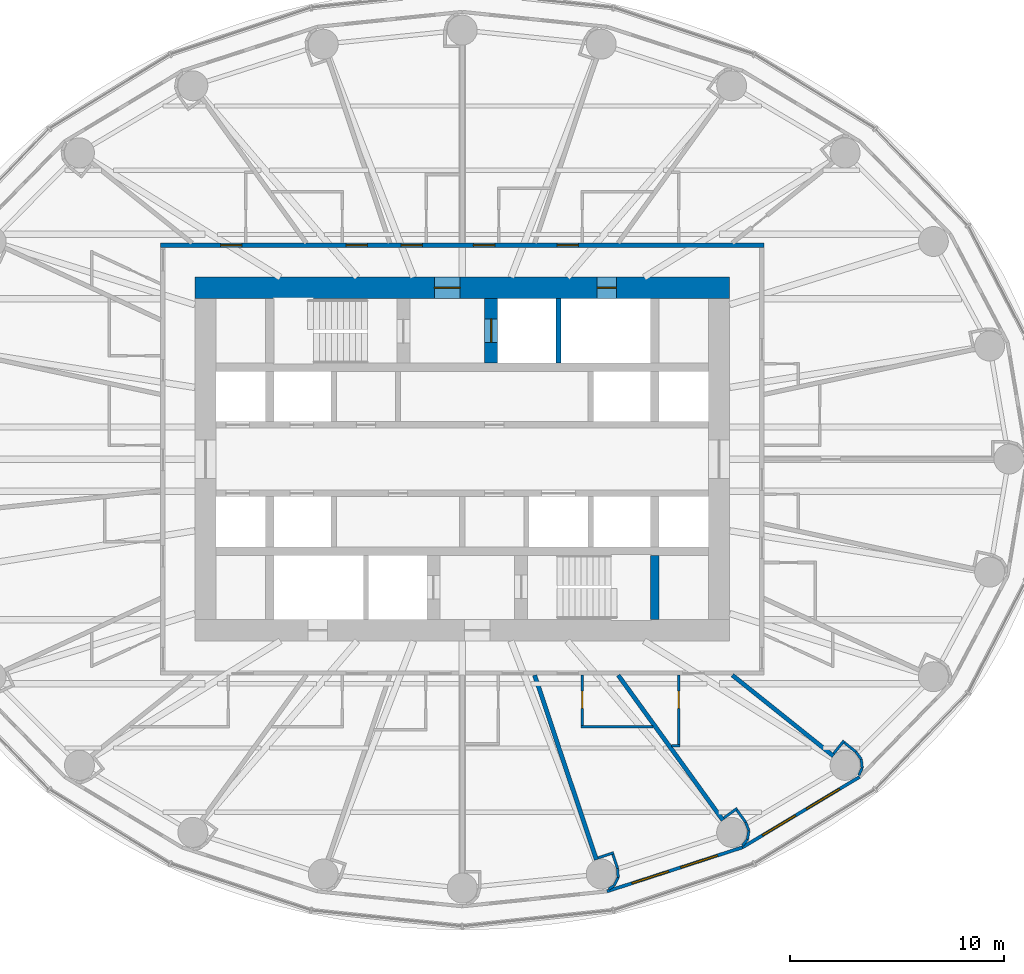
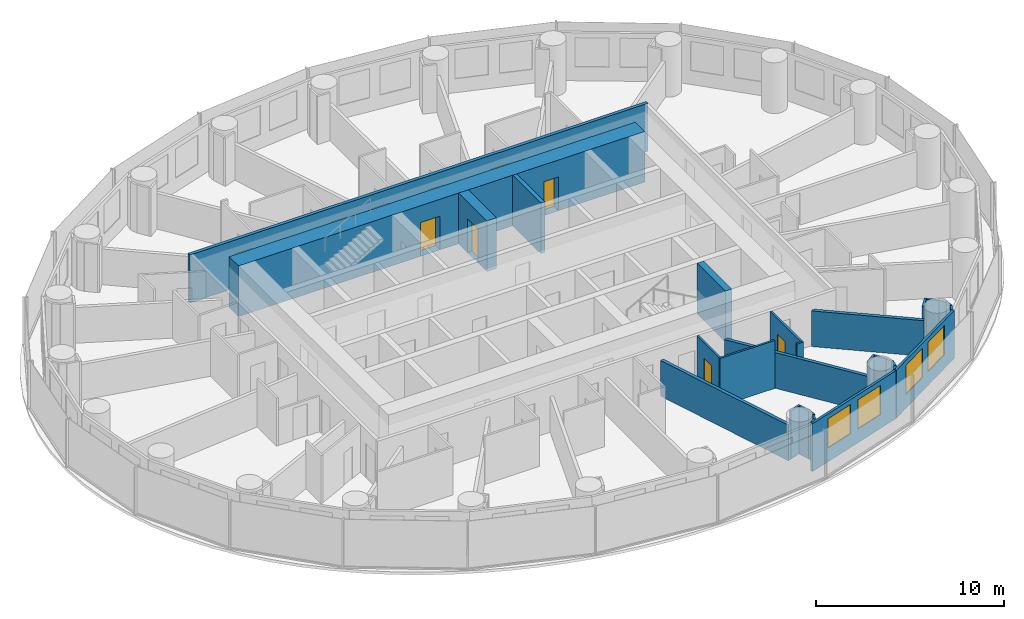
# One storey, part 9 of 14: 29 walls, 10 doors, 4 windows, 14 openings.
"""IFC4 building model written with IfcOpenShell, lengths in metres."""

from ifc_helpers import new_model, si_unit, direction, frame, frame_2d, origin, place, context, subcontext, project, spatial, rectangle, extrude, material, layer, layer_set, type_object, element, fill, save


model = new_model("IFC4")

# Units and contexts
model_context = context("Model", 3, precision=1e-05, world=origin(), true_north=direction((0.0, 1.0)))
body_context = subcontext(model_context, "Body", "Model", "MODEL_VIEW")
ifc_project = project(units=[si_unit("LENGTHUNIT", "METRE"), si_unit("AREAUNIT", "SQUARE_METRE"), si_unit("VOLUMEUNIT", "CUBIC_METRE"), si_unit("PLANEANGLEUNIT", "RADIAN"), si_unit("MASSUNIT", "GRAM", prefix="KILO")], contexts=[model_context])

# Site, building, storey
site_placement = place(None, origin())
site = spatial("IfcSite", under=ifc_project, at=site_placement, CompositionType="ELEMENT")
building_placement = place(site_placement, origin())
building = spatial("IfcBuilding", under=site, at=building_placement, Name="Hankou Lantern Tower", CompositionType="ELEMENT")
storey_placement = place(building_placement, frame((0.0, 0.0, 67.199951171875)))
storey = spatial("IfcBuildingStorey", under=building, at=storey_placement, Name="L16", CompositionType="ELEMENT", Elevation=67.199951171875)

# Wall, openings, doors
ifc_material_1 = material(Name="Concrete C60", Category="concrete")
ifc_layer_1 = layer(ifc_material_1, 1.0)
ifc_layer_set_1 = layer_set([ifc_layer_1], Name="Concrete C60")
wall_type_1 = type_object("IfcWallType", Name="CW1 CORE WALL 1000", PredefinedType="SHEAR", material=ifc_layer_set_1)
wall_1_placement = place(storey_placement, frame((-12.5, 8.0, 0.0), z_axis=(0.0, 0.0, 1.0), x_axis=(1.0, 0.0, 0.0)))
wall_1 = element("IfcWall", 1, at=wall_1_placement, inside=storey, type_object=wall_type_1, Name="Core wall north L16", PredefinedType="SHEAR", context=body_context, shape_type="SweptSolid", body=[
    extrude(rectangle(XDim=25.0, YDim=1.0, at=frame_2d((12.5, 0.0))), origin(), (0.0, 0.0, 1.0), 3.300048828125),
])
opening_1_placement = place(wall_1_placement, frame((11.199951171875, 0.0, 0.0)))
opening_1 = element("IfcOpeningElement", 2, at=opening_1_placement, cuts=wall_1, Name="Opening D5", PredefinedType="OPENING", context=body_context, shape_type="SweptSolid", body=[
    extrude(rectangle(XDim=1.199951171875, YDim=2.199951171875, at=frame_2d((0.60009765625, 1.10009765625))), frame((0.0, 0.510009765625, 0.0), z_axis=(0.0, -1.0, 0.0), x_axis=(1.0, 0.0, 0.0)), (0.0, 0.0, 1.0), 1.02001953125),
])
opening_2_placement = place(wall_1_placement, frame((18.800048828125, 0.0, 0.0)))
opening_2 = element("IfcOpeningElement", 3, at=opening_2_placement, cuts=wall_1, Name="Opening D7", PredefinedType="OPENING", context=body_context, shape_type="SweptSolid", body=[
    extrude(rectangle(XDim=0.89990234375, YDim=2.199951171875, at=frame_2d((0.449951171875, 1.10009765625))), frame((0.0, 0.510009765625, 0.0), z_axis=(0.0, -1.0, 0.0), x_axis=(1.0, 0.0, 0.0)), (0.0, 0.0, 1.0), 1.02001953125),
])
ifc_material_2 = material(Name="Steel door leaf", Category="steel")
door_type_1 = type_object("IfcDoorType", Name="D5 STAIR LOBBY DOOR 1200X2200", OperationType="SINGLE_SWING_LEFT", PredefinedType="DOOR", material=ifc_material_2)
door_1_placement = place(opening_1_placement, origin())
door_1 = element("IfcDoor", 4, at=door_1_placement, inside=storey, type_object=door_type_1, Name="Stair A lobby door", OperationType="SINGLE_SWING_LEFT", OverallHeight=2.199951171875, OverallWidth=1.199951171875, PredefinedType="DOOR", context=body_context, shape_type="SweptSolid", body=[
    extrude(rectangle(XDim=1.199951171875, YDim=2.199951171875, at=frame_2d((0.60009765625, 1.10009765625))), frame((0.0, 0.02490234375, 0.0), z_axis=(0.0, -1.0, 0.0), x_axis=(1.0, 0.0, 0.0)), (0.0, 0.0, 1.0), 0.050048828125),
])
fill(opening_1, door_1)
ifc_material_3 = material(Name="Steel door leaf", Category="steel")
door_type_2 = type_object("IfcDoorType", Name="D7 RISER DOOR 900X2200", OperationType="SINGLE_SWING_LEFT", PredefinedType="DOOR", material=ifc_material_3)
door_2_placement = place(opening_2_placement, origin())
door_2 = element("IfcDoor", 5, at=door_2_placement, inside=storey, type_object=door_type_2, Name="Riser N1 door", OperationType="SINGLE_SWING_RIGHT", OverallHeight=2.199951171875, OverallWidth=0.89990234375, PredefinedType="DOOR", context=body_context, shape_type="SweptSolid", body=[
    extrude(rectangle(XDim=0.89990234375, YDim=2.199951171875, at=frame_2d((0.449951171875, 1.10009765625))), frame((0.0, 0.02490234375, 0.0), z_axis=(0.0, -1.0, 0.0), x_axis=(1.0, 0.0, 0.0)), (0.0, 0.0, 1.0), 0.050048828125),
])
fill(opening_2, door_2)

# Wall
ifc_material_4 = material(Name="Concrete C60", Category="concrete")
ifc_layer_2 = layer(ifc_material_4, 0.39990234375)
ifc_layer_set_2 = layer_set([ifc_layer_2], Name="Concrete C60")
wall_type_2 = type_object("IfcWallType", Name="CW4 CORE CROSS WALL 400", PredefinedType="SHEAR", material=ifc_layer_set_2)
wall_2_placement = place(storey_placement, frame((9.0, -7.5, 0.0), z_axis=(0.0, 0.0, 1.0), x_axis=(0.0, 1.0, 0.0)))
element("IfcWall", 6, at=wall_2_placement, inside=storey, type_object=wall_type_2, Name="Core strip wall L16", PredefinedType="SHEAR", context=body_context, shape_type="SweptSolid", body=[
    extrude(rectangle(XDim=3.0, YDim=0.39990234375, at=frame_2d((1.5, 0.0))), origin(), (0.0, 0.0, 1.0), 3.300048828125),
])

# Wall, opening, door
ifc_material_5 = material(Name="Concrete C60", Category="concrete")
ifc_layer_3 = layer(ifc_material_5, 0.60009765625)
ifc_layer_set_3 = layer_set([ifc_layer_3], Name="Concrete C60")
wall_type_3 = type_object("IfcWallType", Name="CW6 STAIR AND SHAFT WALL 600", PredefinedType="SHEAR", material=ifc_layer_set_3)
wall_3_placement = place(storey_placement, frame((1.35009765625, 4.5, 0.0), z_axis=(0.0, 0.0, 1.0), x_axis=(0.0, 1.0, 0.0)))
wall_3 = element("IfcWall", 7, at=wall_3_placement, inside=storey, type_object=wall_type_3, Name="Firefighting lift shaft wall L16", PredefinedType="SHEAR", context=body_context, shape_type="SweptSolid", body=[
    extrude(rectangle(XDim=3.0, YDim=0.60009765625, at=frame_2d((1.5, 0.0))), origin(), (0.0, 0.0, 1.0), 3.300048828125),
])
opening_3_placement = place(wall_3_placement, frame((0.949951171875, 0.0, 0.0)))
opening_3 = element("IfcOpeningElement", 8, at=opening_3_placement, cuts=wall_3, Name="Opening LD2", PredefinedType="OPENING", context=body_context, shape_type="SweptSolid", body=[
    extrude(rectangle(XDim=1.10009765625, YDim=2.199951171875, at=frame_2d((0.550048828125, 1.10009765625))), frame((0.0, 0.31005859375, 0.0), z_axis=(0.0, -1.0, 0.0), x_axis=(1.0, 0.0, 0.0)), (0.0, 0.0, 1.0), 0.6201171875),
])
ifc_material_6 = material(Name="Steel door leaf", Category="steel")
door_type_3 = type_object("IfcDoorType", Name="LD2 FIREFIGHTING LIFT LANDING DOOR 1100X2200", OperationType="DOUBLE_DOOR_SLIDING", PredefinedType="DOOR", material=ifc_material_6)
door_3_placement = place(opening_3_placement, origin())
door_3 = element("IfcDoor", 9, at=door_3_placement, inside=storey, type_object=door_type_3, Name="Firefighting lift FL1 landing door", OperationType="DOUBLE_DOOR_SLIDING", OverallHeight=2.199951171875, OverallWidth=1.10009765625, PredefinedType="DOOR", context=body_context, shape_type="SweptSolid", body=[
    extrude(rectangle(XDim=1.10009765625, YDim=2.199951171875, at=frame_2d((0.550048828125, 1.10009765625))), frame((0.0, 0.02490234375, 0.0), z_axis=(0.0, -1.0, 0.0), x_axis=(1.0, 0.0, 0.0)), (0.0, 0.0, 1.0), 0.050048828125),
])
fill(opening_3, door_3)

# Wall, openings, windows
ifc_material_7 = material(Name="Aluminium spandrel panel on steel studs", Category="steel")
ifc_layer_4 = layer(ifc_material_7, 0.14990234375)
ifc_layer_set_4 = layer_set([ifc_layer_4], Name="Aluminium spandrel panel on steel studs")
wall_type_4 = type_object("IfcWallType", Name="EW1 INNER SKIN WALL 150", PredefinedType="ELEMENTEDWALL", material=ifc_layer_set_4)
wall_4_placement = place(storey_placement, frame((6.766357421875, -20.201904296875, 0.0), z_axis=(0.0, 0.0, 1.0), x_axis=(0.951137534625, 0.308767534285, 0.0)))
wall_4 = element("IfcWall", 10, at=wall_4_placement, inside=storey, type_object=wall_type_4, Name="Inner skin R20-R21 L16", PredefinedType="ELEMENTEDWALL", context=body_context, shape_type="SweptSolid", body=[
    extrude(rectangle(XDim=6.6552734375, YDim=0.14990234375, at=frame_2d((3.32763671875, 0.0))), origin(), (0.0, 0.0, 1.0), 3.1201171875),
])
opening_4_placement = place(wall_4_placement, frame((1.2275390625, 0.0, 0.89990234375)))
opening_4 = element("IfcOpeningElement", 11, at=opening_4_placement, cuts=wall_4, Name="Opening W1", PredefinedType="OPENING", context=body_context, shape_type="SweptSolid", body=[
    extrude(rectangle(XDim=1.800048828125, YDim=1.89990234375, at=frame_2d((0.89990234375, 0.949951171875))), frame((0.0, 0.0849609375, 0.0), z_axis=(0.0, -1.0, 0.0), x_axis=(1.0, 0.0, 0.0)), (0.0, 0.0, 1.0), 0.169921875),
])
opening_5_placement = place(wall_4_placement, frame((3.627685546875, 0.0, 0.89990234375)))
opening_5 = element("IfcOpeningElement", 12, at=opening_5_placement, cuts=wall_4, Name="Opening W1", PredefinedType="OPENING", context=body_context, shape_type="SweptSolid", body=[
    extrude(rectangle(XDim=1.800048828125, YDim=1.89990234375, at=frame_2d((0.89990234375, 0.949951171875))), frame((0.0, 0.0849609375, 0.0), z_axis=(0.0, -1.0, 0.0), x_axis=(1.0, 0.0, 0.0)), (0.0, 0.0, 1.0), 0.169921875),
])
ifc_material_8 = material(Name="Aluminium framed double glazed window", Category="aluminium")
window_type = type_object("IfcWindowType", Name="W1 GUEST ROOM WINDOW 1800X1900", PartitioningType="DOUBLE_PANEL_VERTICAL", PredefinedType="WINDOW", material=ifc_material_8)
window_1_placement = place(opening_4_placement, origin())
window_1 = element("IfcWindow", 13, at=window_1_placement, inside=storey, type_object=window_type, Name="Window R20.1 L16", OverallHeight=1.89990234375, OverallWidth=1.800048828125, PartitioningType="SINGLE_PANEL", PredefinedType="WINDOW", context=body_context, shape_type="SweptSolid", body=[
    extrude(rectangle(XDim=1.800048828125, YDim=1.89990234375, at=frame_2d((0.89990234375, 0.949951171875))), frame((0.0, 0.030029296875, 0.0), z_axis=(0.0, -1.0, 0.0), x_axis=(1.0, 0.0, 0.0)), (0.0, 0.0, 1.0), 0.06005859375),
])
fill(opening_4, window_1)
window_2_placement = place(opening_5_placement, origin())
window_2 = element("IfcWindow", 14, at=window_2_placement, inside=storey, type_object=window_type, Name="Window R20.2 L16", OverallHeight=1.89990234375, OverallWidth=1.800048828125, PartitioningType="SINGLE_PANEL", PredefinedType="WINDOW", context=body_context, shape_type="SweptSolid", body=[
    extrude(rectangle(XDim=1.800048828125, YDim=1.89990234375, at=frame_2d((0.89990234375, 0.949951171875))), frame((0.0, 0.030029296875, 0.0), z_axis=(0.0, -1.0, 0.0), x_axis=(1.0, 0.0, 0.0)), (0.0, 0.0, 1.0), 0.06005859375),
])
fill(opening_5, window_2)

wall_5_placement = place(storey_placement, frame((13.096435546875, -18.14697265625, 0.0), z_axis=(0.0, 0.0, 1.0), x_axis=(0.856983180864, 0.515344377787, 0.0)))
wall_5 = element("IfcWall", 15, at=wall_5_placement, inside=storey, type_object=wall_type_4, Name="Inner skin R21-R22 L16", PredefinedType="ELEMENTEDWALL", context=body_context, shape_type="SweptSolid", body=[
    extrude(rectangle(XDim=6.386474609375, YDim=0.14990234375, at=frame_2d((3.193359375, 0.0))), origin(), (0.0, 0.0, 1.0), 3.1201171875),
])
opening_6_placement = place(wall_5_placement, frame((1.09326171875, 0.0, 0.89990234375)))
opening_6 = element("IfcOpeningElement", 16, at=opening_6_placement, cuts=wall_5, Name="Opening W1", PredefinedType="OPENING", context=body_context, shape_type="SweptSolid", body=[
    extrude(rectangle(XDim=1.800048828125, YDim=1.89990234375, at=frame_2d((0.89990234375, 0.949951171875))), frame((0.0, 0.0849609375, 0.0), z_axis=(0.0, -1.0, 0.0), x_axis=(1.0, 0.0, 0.0)), (0.0, 0.0, 1.0), 0.169921875),
])
opening_7_placement = place(wall_5_placement, frame((3.4931640625, 0.0, 0.89990234375)))
opening_7 = element("IfcOpeningElement", 17, at=opening_7_placement, cuts=wall_5, Name="Opening W1", PredefinedType="OPENING", context=body_context, shape_type="SweptSolid", body=[
    extrude(rectangle(XDim=1.800048828125, YDim=1.89990234375, at=frame_2d((0.89990234375, 0.949951171875))), frame((0.0, 0.0849609375, 0.0), z_axis=(0.0, -1.0, 0.0), x_axis=(1.0, 0.0, 0.0)), (0.0, 0.0, 1.0), 0.169921875),
])
window_3_placement = place(opening_6_placement, origin())
window_3 = element("IfcWindow", 18, at=window_3_placement, inside=storey, type_object=window_type, Name="Window R21.1 L16", OverallHeight=1.89990234375, OverallWidth=1.800048828125, PartitioningType="SINGLE_PANEL", PredefinedType="WINDOW", context=body_context, shape_type="SweptSolid", body=[
    extrude(rectangle(XDim=1.800048828125, YDim=1.89990234375, at=frame_2d((0.89990234375, 0.949951171875))), frame((0.0, 0.030029296875, 0.0), z_axis=(0.0, -1.0, 0.0), x_axis=(1.0, 0.0, 0.0)), (0.0, 0.0, 1.0), 0.06005859375),
])
fill(opening_6, window_3)
window_4_placement = place(opening_7_placement, origin())
window_4 = element("IfcWindow", 19, at=window_4_placement, inside=storey, type_object=window_type, Name="Window R21.2 L16", OverallHeight=1.89990234375, OverallWidth=1.800048828125, PartitioningType="SINGLE_PANEL", PredefinedType="WINDOW", context=body_context, shape_type="SweptSolid", body=[
    extrude(rectangle(XDim=1.800048828125, YDim=1.89990234375, at=frame_2d((0.89990234375, 0.949951171875))), frame((0.0, 0.030029296875, 0.0), z_axis=(0.0, -1.0, 0.0), x_axis=(1.0, 0.0, 0.0)), (0.0, 0.0, 1.0), 0.06005859375),
])
fill(opening_7, window_4)

# Walls
ifc_material_9 = material(Name="Masonry lightweight concrete block", Category="masonry")
ifc_layer_5 = layer(ifc_material_9, 0.199951171875)
ifc_layer_set_5 = layer_set([ifc_layer_5], Name="Masonry lightweight concrete block")
wall_type_5 = type_object("IfcWallType", Name="IW1 GUEST ROOM PARTY WALL 200", PredefinedType="PARTITIONING", material=ifc_layer_set_5)
wall_6_placement = place(storey_placement, frame((3.3828125, -10.10009765625, 0.0), z_axis=(0.0, 0.0, 1.0), x_axis=(0.31759592231, -0.948226149256, 0.0)))
element("IfcWall", 20, at=wall_6_placement, inside=storey, type_object=wall_type_5, Name="Party wall R20", PredefinedType="PARTITIONING", context=body_context, shape_type="SweptSolid", body=[
    extrude(rectangle(XDim=9.098388671875, YDim=0.199951171875, at=frame_2d((4.54931640625, 0.0))), origin(), (0.0, 0.0, 1.0), 2.320068359375),
])
wall_7_placement = place(storey_placement, frame((7.2890625, -10.10009765625, 0.0), z_axis=(0.0, 0.0, 1.0), x_axis=(0.585198353053, -0.810890182197, 0.0)))
element("IfcWall", 21, at=wall_7_placement, inside=storey, type_object=wall_type_5, Name="Party wall R21", PredefinedType="PARTITIONING", context=body_context, shape_type="SweptSolid", body=[
    extrude(rectangle(XDim=8.359619140625, YDim=0.199951171875, at=frame_2d((4.1796875, 0.0))), origin(), (0.0, 0.0, 1.0), 2.320068359375),
])
wall_8_placement = place(storey_placement, frame((12.625, -10.10009765625, 0.0), z_axis=(0.0, 0.0, 1.0), x_axis=(0.780892451574, -0.624665493744, 0.0)))
element("IfcWall", 22, at=wall_8_placement, inside=storey, type_object=wall_type_5, Name="Party wall R22", PredefinedType="PARTITIONING", context=body_context, shape_type="SweptSolid", body=[
    extrude(rectangle(XDim=6.044677734375, YDim=0.199951171875, at=frame_2d((3.0224609375, 0.0))), origin(), (0.0, 0.0, 1.0), 2.320068359375),
])

# Wall, openings, doors
ifc_material_10 = material(Name="Masonry lightweight concrete block", Category="masonry")
ifc_layer_6 = layer(ifc_material_10, 0.199951171875)
ifc_layer_set_6 = layer_set([ifc_layer_6], Name="Masonry lightweight concrete block")
wall_type_6 = type_object("IfcWallType", Name="IW2 CORRIDOR WALL 200", PredefinedType="PARTITIONING", material=ifc_layer_set_6)
wall_9_placement = place(storey_placement, frame((-14.10009765625, 10.0, 0.0), z_axis=(0.0, 0.0, 1.0), x_axis=(1.0, 0.0, 0.0)))
wall_9 = element("IfcWall", 23, at=wall_9_placement, inside=storey, type_object=wall_type_6, Name="Corridor wall north", PredefinedType="PARTITIONING", context=body_context, shape_type="SweptSolid", body=[
    extrude(rectangle(XDim=28.2001953125, YDim=0.199951171875, at=frame_2d((14.10009765625, 0.0))), origin(), (0.0, 0.0, 1.0), 3.1201171875),
])
opening_8_placement = place(wall_9_placement, frame((18.529052734375, 0.0, 0.0)))
opening_8 = element("IfcOpeningElement", 24, at=opening_8_placement, cuts=wall_9, Name="Opening D1", PredefinedType="OPENING", context=body_context, shape_type="SweptSolid", body=[
    extrude(rectangle(XDim=1.0, YDim=2.199951171875, at=frame_2d((0.5, 1.10009765625))), frame((0.0, 0.10986328125, 0.0), z_axis=(0.0, -1.0, 0.0), x_axis=(1.0, 0.0, 0.0)), (0.0, 0.0, 1.0), 0.219970703125),
])
opening_9_placement = place(wall_9_placement, frame((14.622802734375, 0.0, 0.0)))
opening_9 = element("IfcOpeningElement", 25, at=opening_9_placement, cuts=wall_9, Name="Opening D1", PredefinedType="OPENING", context=body_context, shape_type="SweptSolid", body=[
    extrude(rectangle(XDim=1.0, YDim=2.199951171875, at=frame_2d((0.5, 1.10009765625))), frame((0.0, 0.10986328125, 0.0), z_axis=(0.0, -1.0, 0.0), x_axis=(1.0, 0.0, 0.0)), (0.0, 0.0, 1.0), 0.219970703125),
])
opening_10_placement = place(wall_9_placement, frame((11.239990234375, 0.0, 0.0)))
opening_10 = element("IfcOpeningElement", 26, at=opening_10_placement, cuts=wall_9, Name="Opening D1", PredefinedType="OPENING", context=body_context, shape_type="SweptSolid", body=[
    extrude(rectangle(XDim=1.0, YDim=2.199951171875, at=frame_2d((0.5, 1.10009765625))), frame((0.0, 0.10986328125, 0.0), z_axis=(0.0, -1.0, 0.0), x_axis=(1.0, 0.0, 0.0)), (0.0, 0.0, 1.0), 0.219970703125),
])
opening_11_placement = place(wall_9_placement, frame((8.6708984375, 0.0, 0.0)))
opening_11 = element("IfcOpeningElement", 27, at=opening_11_placement, cuts=wall_9, Name="Opening D1", PredefinedType="OPENING", context=body_context, shape_type="SweptSolid", body=[
    extrude(rectangle(XDim=1.0, YDim=2.199951171875, at=frame_2d((0.5, 1.10009765625))), frame((0.0, 0.10986328125, 0.0), z_axis=(0.0, -1.0, 0.0), x_axis=(1.0, 0.0, 0.0)), (0.0, 0.0, 1.0), 0.219970703125),
])
opening_12_placement = place(wall_9_placement, frame((2.801025390625, 0.0, 0.0)))
opening_12 = element("IfcOpeningElement", 28, at=opening_12_placement, cuts=wall_9, Name="Opening D1", PredefinedType="OPENING", context=body_context, shape_type="SweptSolid", body=[
    extrude(rectangle(XDim=1.0, YDim=2.199951171875, at=frame_2d((0.5, 1.10009765625))), frame((0.0, 0.10986328125, 0.0), z_axis=(0.0, -1.0, 0.0), x_axis=(1.0, 0.0, 0.0)), (0.0, 0.0, 1.0), 0.219970703125),
])
ifc_material_11 = material(Name="Steel door leaf", Category="steel")
door_type_4 = type_object("IfcDoorType", Name="D1 GUEST ROOM DOOR 1000X2200", OperationType="SINGLE_SWING_LEFT", PredefinedType="DOOR", material=ifc_material_11)
door_4_placement = place(opening_8_placement, origin())
door_4 = element("IfcDoor", 29, at=door_4_placement, inside=storey, type_object=door_type_4, Name="Guest room door 1605", OperationType="SINGLE_SWING_RIGHT", OverallHeight=2.199951171875, OverallWidth=1.0, PredefinedType="DOOR", context=body_context, shape_type="SweptSolid", body=[
    extrude(rectangle(XDim=1.0, YDim=2.199951171875, at=frame_2d((0.5, 1.10009765625))), frame((0.0, 0.02490234375, 0.0), z_axis=(0.0, -1.0, 0.0), x_axis=(1.0, 0.0, 0.0)), (0.0, 0.0, 1.0), 0.050048828125),
])
fill(opening_8, door_4)
door_5_placement = place(opening_9_placement, origin())
door_5 = element("IfcDoor", 30, at=door_5_placement, inside=storey, type_object=door_type_4, Name="Guest room door 1606", OperationType="SINGLE_SWING_RIGHT", OverallHeight=2.199951171875, OverallWidth=1.0, PredefinedType="DOOR", context=body_context, shape_type="SweptSolid", body=[
    extrude(rectangle(XDim=1.0, YDim=2.199951171875, at=frame_2d((0.5, 1.10009765625))), frame((0.0, 0.02490234375, 0.0), z_axis=(0.0, -1.0, 0.0), x_axis=(1.0, 0.0, 0.0)), (0.0, 0.0, 1.0), 0.050048828125),
])
fill(opening_9, door_5)
door_6_placement = place(opening_10_placement, origin())
door_6 = element("IfcDoor", 31, at=door_6_placement, inside=storey, type_object=door_type_4, Name="Guest room door 1607", OperationType="SINGLE_SWING_RIGHT", OverallHeight=2.199951171875, OverallWidth=1.0, PredefinedType="DOOR", context=body_context, shape_type="SweptSolid", body=[
    extrude(rectangle(XDim=1.0, YDim=2.199951171875, at=frame_2d((0.5, 1.10009765625))), frame((0.0, 0.02490234375, 0.0), z_axis=(0.0, -1.0, 0.0), x_axis=(1.0, 0.0, 0.0)), (0.0, 0.0, 1.0), 0.050048828125),
])
fill(opening_10, door_6)
door_7_placement = place(opening_11_placement, origin())
door_7 = element("IfcDoor", 32, at=door_7_placement, inside=storey, type_object=door_type_4, Name="Guest room door 1608", OperationType="SINGLE_SWING_LEFT", OverallHeight=2.199951171875, OverallWidth=1.0, PredefinedType="DOOR", context=body_context, shape_type="SweptSolid", body=[
    extrude(rectangle(XDim=1.0, YDim=2.199951171875, at=frame_2d((0.5, 1.10009765625))), frame((0.0, 0.02490234375, 0.0), z_axis=(0.0, -1.0, 0.0), x_axis=(1.0, 0.0, 0.0)), (0.0, 0.0, 1.0), 0.050048828125),
])
fill(opening_11, door_7)
door_8_placement = place(opening_12_placement, origin())
door_8 = element("IfcDoor", 33, at=door_8_placement, inside=storey, type_object=door_type_4, Name="Guest room door 1609", OperationType="SINGLE_SWING_RIGHT", OverallHeight=2.199951171875, OverallWidth=1.0, PredefinedType="DOOR", context=body_context, shape_type="SweptSolid", body=[
    extrude(rectangle(XDim=1.0, YDim=2.199951171875, at=frame_2d((0.5, 1.10009765625))), frame((0.0, 0.02490234375, 0.0), z_axis=(0.0, -1.0, 0.0), x_axis=(1.0, 0.0, 0.0)), (0.0, 0.0, 1.0), 0.050048828125),
])
fill(opening_12, door_8)

# Wall
ifc_material_12 = material(Name="Masonry lightweight concrete block", Category="masonry")
ifc_layer_7 = layer(ifc_material_12, 0.1201171875)
ifc_layer_set_7 = layer_set([ifc_layer_7], Name="Masonry lightweight concrete block")
wall_type_7 = type_object("IfcWallType", Name="IW3 BATHROOM WALL 120", PredefinedType="PARTITIONING", material=ifc_layer_set_7)
wall_10_placement = place(storey_placement, frame((8.921142578125, -12.5, 0.0), z_axis=(0.0, 0.0, 1.0), x_axis=(-1.0, 0.0, 0.0)))
element("IfcWall", 34, at=wall_10_placement, inside=storey, type_object=wall_type_7, Name="Box wall 1619 1", PredefinedType="PARTITIONING", context=body_context, shape_type="SweptSolid", body=[
    extrude(rectangle(XDim=3.3720703125, YDim=0.1201171875, at=frame_2d((1.68603515625, 0.0))), origin(), (0.0, 0.0, 1.0), 3.1201171875),
])

# Wall, opening, door
wall_11_placement = place(storey_placement, frame((5.609130859375, -10.10009765625, 0.0), z_axis=(0.0, 0.0, 1.0), x_axis=(0.0, -1.0, 0.0)))
wall_11 = element("IfcWall", 35, at=wall_11_placement, inside=storey, type_object=wall_type_7, Name="Box wall 1619 1", PredefinedType="PARTITIONING", context=body_context, shape_type="SweptSolid", body=[
    extrude(rectangle(XDim=2.33984375, YDim=0.1201171875, at=frame_2d((1.169921875, 0.0))), origin(), (0.0, 0.0, 1.0), 3.1201171875),
])
opening_13_placement = place(wall_11_placement, frame((0.75, 0.0, 0.0)))
opening_13 = element("IfcOpeningElement", 36, at=opening_13_placement, cuts=wall_11, Name="Opening D3", PredefinedType="OPENING", context=body_context, shape_type="SweptSolid", body=[
    extrude(rectangle(XDim=0.800048828125, YDim=2.10009765625, at=frame_2d((0.39990234375, 1.050048828125))), frame((0.0, 0.070068359375, 0.0), z_axis=(0.0, -1.0, 0.0), x_axis=(1.0, 0.0, 0.0)), (0.0, 0.0, 1.0), 0.14013671875),
])
ifc_material_13 = material(Name="Timber door leaf", Category="wood")
door_type_5 = type_object("IfcDoorType", Name="D3 BATHROOM DOOR 800X2100", OperationType="SINGLE_SWING_LEFT", PredefinedType="DOOR", material=ifc_material_13)
door_9_placement = place(opening_13_placement, origin())
door_9 = element("IfcDoor", 37, at=door_9_placement, inside=storey, type_object=door_type_5, Name="En-suite bathroom 1619 door", OperationType="SINGLE_SWING_LEFT", OverallHeight=2.10009765625, OverallWidth=0.800048828125, PredefinedType="DOOR", context=body_context, shape_type="SweptSolid", body=[
    extrude(rectangle(XDim=0.800048828125, YDim=2.10009765625, at=frame_2d((0.39990234375, 1.050048828125))), frame((0.0, 0.02490234375, 0.0), z_axis=(0.0, -1.0, 0.0), x_axis=(1.0, 0.0, 0.0)), (0.0, 0.0, 1.0), 0.050048828125),
])
fill(opening_13, door_9)

# Wall
wall_12_placement = place(storey_placement, frame((9.7705078125, -13.39990234375, 0.0), z_axis=(0.0, 0.0, 1.0), x_axis=(1.0, 0.0, 0.0)))
element("IfcWall", 38, at=wall_12_placement, inside=storey, type_object=wall_type_7, Name="Box wall 1620 1", PredefinedType="PARTITIONING", context=body_context, shape_type="SweptSolid", body=[
    extrude(rectangle(XDim=0.408447265625, YDim=0.1201171875, at=frame_2d((0.2041015625, 0.0))), origin(), (0.0, 0.0, 1.0), 3.1201171875),
])

# Wall, opening, door
wall_13_placement = place(storey_placement, frame((10.119140625, -10.10009765625, 0.0), z_axis=(0.0, 0.0, 1.0), x_axis=(0.0, -1.0, 0.0)))
wall_13 = element("IfcWall", 39, at=wall_13_placement, inside=storey, type_object=wall_type_7, Name="Box wall 1620 1", PredefinedType="PARTITIONING", context=body_context, shape_type="SweptSolid", body=[
    extrude(rectangle(XDim=3.239990234375, YDim=0.1201171875, at=frame_2d((1.6201171875, 0.0))), origin(), (0.0, 0.0, 1.0), 3.1201171875),
])
opening_14_placement = place(wall_13_placement, frame((0.75, 0.0, 0.0)))
opening_14 = element("IfcOpeningElement", 40, at=opening_14_placement, cuts=wall_13, Name="Opening D3", PredefinedType="OPENING", context=body_context, shape_type="SweptSolid", body=[
    extrude(rectangle(XDim=0.800048828125, YDim=2.10009765625, at=frame_2d((0.39990234375, 1.050048828125))), frame((0.0, 0.070068359375, 0.0), z_axis=(0.0, -1.0, 0.0), x_axis=(1.0, 0.0, 0.0)), (0.0, 0.0, 1.0), 0.14013671875),
])
door_10_placement = place(opening_14_placement, origin())
door_10 = element("IfcDoor", 41, at=door_10_placement, inside=storey, type_object=door_type_5, Name="En-suite bathroom 1620 door", OperationType="SINGLE_SWING_LEFT", OverallHeight=2.10009765625, OverallWidth=0.800048828125, PredefinedType="DOOR", context=body_context, shape_type="SweptSolid", body=[
    extrude(rectangle(XDim=0.800048828125, YDim=2.10009765625, at=frame_2d((0.39990234375, 1.050048828125))), frame((0.0, 0.02490234375, 0.0), z_axis=(0.0, -1.0, 0.0), x_axis=(1.0, 0.0, 0.0)), (0.0, 0.0, 1.0), 0.050048828125),
])
fill(opening_14, door_10)

# Walls
ifc_material_14 = material(Name="Masonry lightweight concrete block", Category="masonry")
ifc_layer_8 = layer(ifc_material_14, 0.1201171875)
ifc_layer_set_8 = layer_set([ifc_layer_8], Name="Masonry lightweight concrete block")
wall_type_8 = type_object("IfcWallType", Name="IW4 PARTITION 120", PredefinedType="PARTITIONING", material=ifc_layer_set_8)
wall_14_placement = place(storey_placement, frame((6.348388671875, -18.638916015625, 0.0), z_axis=(0.0, 0.0, 1.0), x_axis=(0.948268951266, 0.317468102437, 0.0)))
element("IfcWall", 42, at=wall_14_placement, inside=storey, type_object=wall_type_8, Name="Column casing R20 return", PredefinedType="PARTITIONING", context=body_context, shape_type="SweptSolid", body=[
    extrude(rectangle(XDim=0.767578125, YDim=0.1201171875, at=frame_2d((0.3837890625, 0.0))), origin(), (0.0, 0.0, 1.0), 3.1201171875),
])
wall_15_placement = place(storey_placement, frame((7.038330078125, -18.47119140625, 0.0), z_axis=(0.0, 0.0, 1.0), x_axis=(0.317378466199, -0.9482989556, 0.0)))
element("IfcWall", 43, at=wall_15_placement, inside=storey, type_object=wall_type_8, Name="Column casing R20", PredefinedType="PARTITIONING", context=body_context, shape_type="SweptSolid", body=[
    extrude(rectangle(XDim=0.699951171875, YDim=0.1201171875, at=frame_2d((0.35009765625, 0.0))), origin(), (0.0, 0.0, 1.0), 3.1201171875),
])
wall_16_placement = place(storey_placement, frame((7.260498046875, -19.135009765625, 0.0), z_axis=(0.0, 0.0, 1.0), x_axis=(0.0613238046, -0.99811792439, 0.0)))
element("IfcWall", 44, at=wall_16_placement, inside=storey, type_object=wall_type_8, Name="Column casing R20", PredefinedType="PARTITIONING", context=body_context, shape_type="SweptSolid", body=[
    extrude(rectangle(XDim=0.41796875, YDim=0.1201171875, at=frame_2d((0.208984375, 0.0))), origin(), (0.0, 0.0, 1.0), 3.1201171875),
])
wall_17_placement = place(storey_placement, frame((7.2861328125, -19.55224609375, 0.0), z_axis=(0.0, 0.0, 1.0), x_axis=(-0.445810757773, -0.89512723579, 0.0)))
element("IfcWall", 45, at=wall_17_placement, inside=storey, type_object=wall_type_8, Name="Column casing R20", PredefinedType="PARTITIONING", context=body_context, shape_type="SweptSolid", body=[
    extrude(rectangle(XDim=0.417724609375, YDim=0.1201171875, at=frame_2d((0.208984375, 0.0))), origin(), (0.0, 0.0, 1.0), 3.1201171875),
])
wall_18_placement = place(storey_placement, frame((7.099853515625, -19.92626953125, 0.0), z_axis=(0.0, 0.0, 1.0), x_axis=(-0.833488262509, -0.552537162787, 0.0)))
element("IfcWall", 46, at=wall_18_placement, inside=storey, type_object=wall_type_8, Name="Column casing R20", PredefinedType="PARTITIONING", context=body_context, shape_type="SweptSolid", body=[
    extrude(rectangle(XDim=0.312744140625, YDim=0.1201171875, at=frame_2d((0.15625, 0.0))), origin(), (0.0, 0.0, 1.0), 3.1201171875),
])
wall_19_placement = place(storey_placement, frame((12.227294921875, -16.771728515625, 0.0), z_axis=(0.0, 0.0, 1.0), x_axis=(0.810821798253, 0.585293098778, 0.0)))
element("IfcWall", 47, at=wall_19_placement, inside=storey, type_object=wall_type_8, Name="Column casing R21 return", PredefinedType="PARTITIONING", context=body_context, shape_type="SweptSolid", body=[
    extrude(rectangle(XDim=0.767578125, YDim=0.1201171875, at=frame_2d((0.3837890625, 0.0))), origin(), (0.0, 0.0, 1.0), 3.1201171875),
])
wall_20_placement = place(storey_placement, frame((12.8359375, -16.40625, 0.0), z_axis=(0.0, 0.0, 1.0), x_axis=(0.585223113993, -0.810872312296, 0.0)))
element("IfcWall", 48, at=wall_20_placement, inside=storey, type_object=wall_type_8, Name="Column casing R21", PredefinedType="PARTITIONING", context=body_context, shape_type="SweptSolid", body=[
    extrude(rectangle(XDim=0.699951171875, YDim=0.1201171875, at=frame_2d((0.35009765625, 0.0))), origin(), (0.0, 0.0, 1.0), 3.1201171875),
])
wall_21_placement = place(storey_placement, frame((13.24560546875, -16.973876953125, 0.0), z_axis=(0.0, 0.0, 1.0), x_axis=(0.355728122235, -0.934589483705, 0.0)))
element("IfcWall", 49, at=wall_21_placement, inside=storey, type_object=wall_type_8, Name="Column casing R21", PredefinedType="PARTITIONING", context=body_context, shape_type="SweptSolid", body=[
    extrude(rectangle(XDim=0.41796875, YDim=0.1201171875, at=frame_2d((0.208984375, 0.0))), origin(), (0.0, 0.0, 1.0), 3.1201171875),
])
wall_22_placement = place(storey_placement, frame((13.394287109375, -17.364501953125, 0.0), z_axis=(0.0, 0.0, 1.0), x_axis=(-0.159379276926, -0.987217425943, 0.0)))
element("IfcWall", 50, at=wall_22_placement, inside=storey, type_object=wall_type_8, Name="Column casing R21", PredefinedType="PARTITIONING", context=body_context, shape_type="SweptSolid", body=[
    extrude(rectangle(XDim=0.418212890625, YDim=0.1201171875, at=frame_2d((0.208984375, 0.0))), origin(), (0.0, 0.0, 1.0), 3.1201171875),
])
wall_23_placement = place(storey_placement, frame((13.32763671875, -17.77734375, 0.0), z_axis=(0.0, 0.0, 1.0), x_axis=(-0.632276783541, -0.774742582407, 0.0)))
element("IfcWall", 51, at=wall_23_placement, inside=storey, type_object=wall_type_8, Name="Column casing R21", PredefinedType="PARTITIONING", context=body_context, shape_type="SweptSolid", body=[
    extrude(rectangle(XDim=0.35986328125, YDim=0.1201171875, at=frame_2d((0.179931640625, 0.0))), origin(), (0.0, 0.0, 1.0), 3.1201171875),
])
wall_24_placement = place(storey_placement, frame((17.36083984375, -13.760498046875, 0.0), z_axis=(0.0, 0.0, 1.0), x_axis=(0.624501042889, 0.781023973659, 0.0)))
element("IfcWall", 52, at=wall_24_placement, inside=storey, type_object=wall_type_8, Name="Column casing R22 return", PredefinedType="PARTITIONING", context=body_context, shape_type="SweptSolid", body=[
    extrude(rectangle(XDim=0.767333984375, YDim=0.1201171875, at=frame_2d((0.3837890625, 0.0))), origin(), (0.0, 0.0, 1.0), 3.1201171875),
])
wall_25_placement = place(storey_placement, frame((17.849609375, -13.24560546875, 0.0), z_axis=(0.0, 0.0, 1.0), x_axis=(0.780902834923, -0.62465251333, 0.0)))
element("IfcWall", 53, at=wall_25_placement, inside=storey, type_object=wall_type_8, Name="Column casing R22", PredefinedType="PARTITIONING", context=body_context, shape_type="SweptSolid", body=[
    extrude(rectangle(XDim=0.699951171875, YDim=0.1201171875, at=frame_2d((0.35009765625, 0.0))), origin(), (0.0, 0.0, 1.0), 3.1201171875),
])
for number, where, z_axis, x_axis, name in (
    (54, (18.396240234375, -13.682861328125, 0.0), (0.0, 0.0, 1.0), (0.592401603461, -0.805642811807, 0.0), "Column casing R22"),
    (55, (18.643798828125, -14.01953125, 0.0), (0.0, 0.0, 1.0), (0.110367433259, -0.993890854006, 0.0), "Column casing R22"),
):
    element("IfcWall", number, at=place(storey_placement, frame(where, z_axis=z_axis, x_axis=x_axis)), inside=storey, type_object=wall_type_8, Name=name, PredefinedType="PARTITIONING", context=body_context, shape_type="SweptSolid", body=[
        extrude(rectangle(XDim=0.41796875, YDim=0.1201171875, at=frame_2d((0.208984375, 0.0))), origin(), (0.0, 0.0, 1.0), 3.1201171875),
    ])
wall_26_placement = place(storey_placement, frame((18.68994140625, -14.43505859375, 0.0), z_axis=(0.0, 0.0, 1.0), x_axis=(-0.401093412634, -0.91603715773, 0.0)))
element("IfcWall", 56, at=wall_26_placement, inside=storey, type_object=wall_type_8, Name="Column casing R22", PredefinedType="PARTITIONING", context=body_context, shape_type="SweptSolid", body=[
    extrude(rectangle(XDim=0.373046875, YDim=0.1201171875, at=frame_2d((0.1865234375, 0.0))), origin(), (0.0, 0.0, 1.0), 3.1201171875),
])
ifc_material_15 = material(Name="Masonry autoclaved aerated concrete block", Category="masonry")
ifc_layer_9 = layer(ifc_material_15, 0.25)
ifc_layer_set_9 = layer_set([ifc_layer_9], Name="Masonry autoclaved aerated concrete block")
wall_type_9 = type_object("IfcWallType", Name="SW1 SHAFT BLOCK WALL 250", PredefinedType="PARTITIONING", material=ifc_layer_set_9)
wall_27_placement = place(storey_placement, frame((4.5, 4.5, 0.0), z_axis=(0.0, 0.0, 1.0), x_axis=(0.0, 1.0, 0.0)))
element("IfcWall", 57, at=wall_27_placement, inside=storey, type_object=wall_type_9, Name="Riser wall L16", PredefinedType="PARTITIONING", context=body_context, shape_type="SweptSolid", body=[
    extrude(rectangle(XDim=3.0, YDim=0.25, at=frame_2d((1.5, 0.0))), origin(), (0.0, 0.0, 1.0), 3.300048828125),
])

save(model, "model.ifc")
